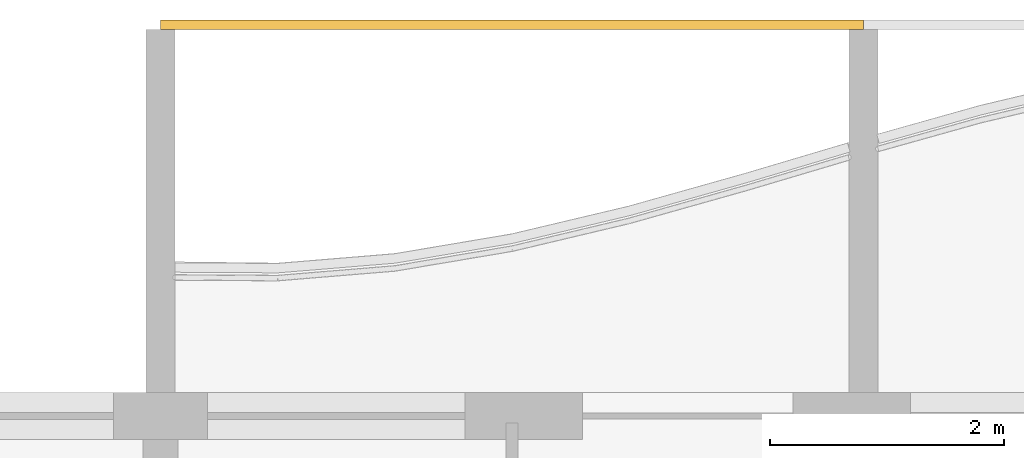
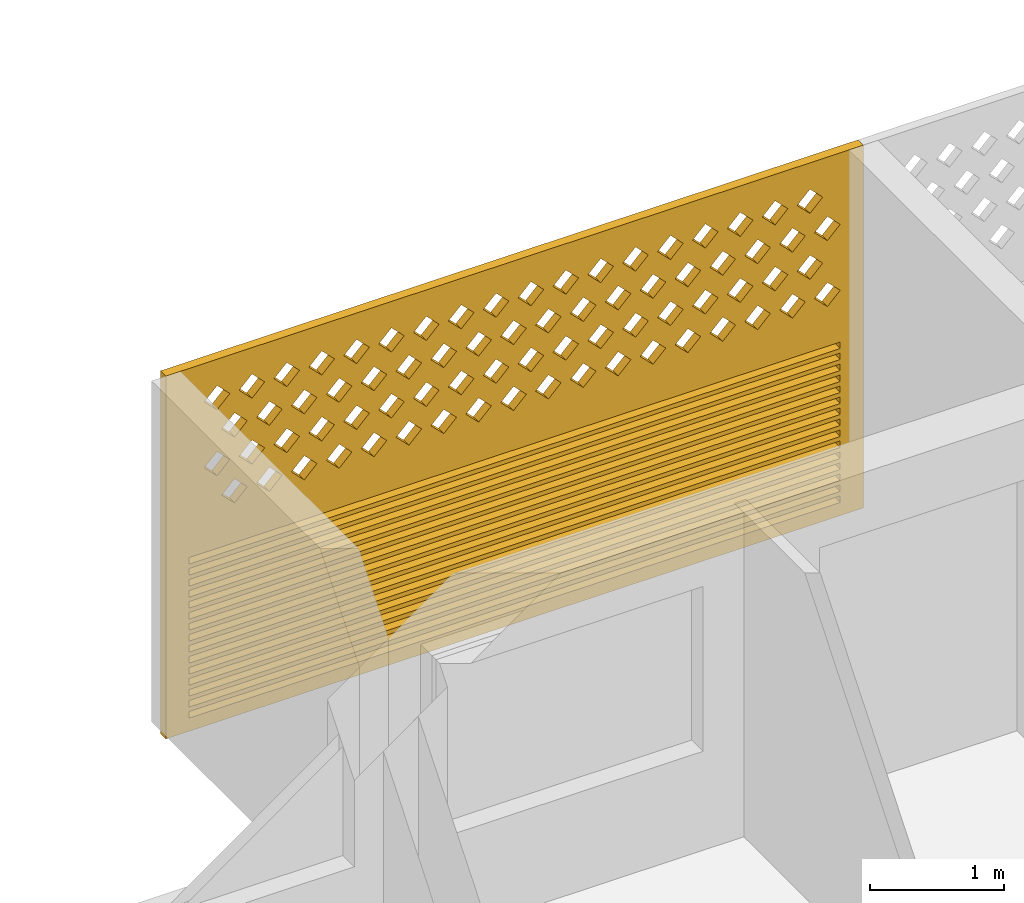
# One storey, part 24 of 26: 1 covering.
"""IFC4 building model written with IfcOpenShell, lengths in metres."""

from ifc_helpers import new_model, si_unit, direction, frame, origin, place, context, subcontext, project, spatial, polyline, outline, extrude, source, transform, mapped, material, material_profile, profile_set, type_object, element, save


model = new_model("IFC4")

# Units and contexts
model_context = context("Model", 3, precision=1e-05, world=origin(), true_north=direction((0.0, 1.0)))
body_context = subcontext(model_context, "Body", "Model", "MODEL_VIEW")
ifc_project = project(units=[si_unit("LENGTHUNIT", "METRE"), si_unit("AREAUNIT", "SQUARE_METRE"), si_unit("VOLUMEUNIT", "CUBIC_METRE"), si_unit("PLANEANGLEUNIT", "RADIAN"), si_unit("MASSUNIT", "GRAM", prefix="KILO")], contexts=[model_context])

# Site, building, storey
site_placement = place(None, origin())
site = spatial("IfcSite", under=ifc_project, at=site_placement, CompositionType="ELEMENT")
building_placement = place(site_placement, origin())
building = spatial("IfcBuilding", under=site, at=building_placement, Name="Poui Terraces", CompositionType="ELEMENT")
storey_placement = place(building_placement, frame((0.0, 0.0, 162.0)))
storey = spatial("IfcBuildingStorey", under=building, at=storey_placement, Name="L45", CompositionType="ELEMENT", Elevation=162.0)

# Covering
ifc_material = material(Name="Terracotta screen", Category="masonry")
ifc_material_profile = material_profile(ifc_material, outline(polyline([(-3.0, -1.64990234375), (3.0, -1.64990234375), (3.0, 1.64990234375), (-3.0, 1.64990234375), (-3.0, -1.64990234375)]), holes=[polyline([(-2.800048828125, 0.39990234375), (-2.68994140625, 0.2900390625), (-2.580078125, 0.39990234375), (-2.68994140625, 0.510009765625), (-2.800048828125, 0.39990234375)]), polyline([(-2.5, 0.39990234375), (-2.389892578125, 0.2900390625), (-2.280029296875, 0.39990234375), (-2.389892578125, 0.510009765625), (-2.5, 0.39990234375)]), polyline([(-2.199951171875, 0.39990234375), (-2.090087890625, 0.2900390625), (-1.97998046875, 0.39990234375), (-2.090087890625, 0.510009765625), (-2.199951171875, 0.39990234375)]), polyline([(-1.89990234375, 0.39990234375), (-1.7900390625, 0.2900390625), (-1.679931640625, 0.39990234375), (-1.7900390625, 0.510009765625), (-1.89990234375, 0.39990234375)]), polyline([(-1.60009765625, 0.39990234375), (-1.489990234375, 0.2900390625), (-1.3798828125, 0.39990234375), (-1.489990234375, 0.510009765625), (-1.60009765625, 0.39990234375)]), polyline([(-1.300048828125, 0.39990234375), (-1.18994140625, 0.2900390625), (-1.080078125, 0.39990234375), (-1.18994140625, 0.510009765625), (-1.300048828125, 0.39990234375)]), polyline([(-1.0, 0.39990234375), (-0.889892578125, 0.2900390625), (-0.780029296875, 0.39990234375), (-0.889892578125, 0.510009765625), (-1.0, 0.39990234375)]), polyline([(-0.699951171875, 0.39990234375), (-0.590087890625, 0.2900390625), (-0.47998046875, 0.39990234375), (-0.590087890625, 0.510009765625), (-0.699951171875, 0.39990234375)]), polyline([(-0.39990234375, 0.39990234375), (-0.2900390625, 0.2900390625), (-0.179931640625, 0.39990234375), (-0.2900390625, 0.510009765625), (-0.39990234375, 0.39990234375)]), polyline([(-0.10009765625, 0.39990234375), (0.010009765625, 0.2900390625), (0.1201171875, 0.39990234375), (0.010009765625, 0.510009765625), (-0.10009765625, 0.39990234375)]), polyline([(0.199951171875, 0.39990234375), (0.31005859375, 0.2900390625), (0.419921875, 0.39990234375), (0.31005859375, 0.510009765625), (0.199951171875, 0.39990234375)]), polyline([(0.5, 0.39990234375), (0.610107421875, 0.2900390625), (0.719970703125, 0.39990234375), (0.610107421875, 0.510009765625), (0.5, 0.39990234375)]), polyline([(0.800048828125, 0.39990234375), (0.909912109375, 0.2900390625), (1.02001953125, 0.39990234375), (0.909912109375, 0.510009765625), (0.800048828125, 0.39990234375)]), polyline([(1.10009765625, 0.39990234375), (1.2099609375, 0.2900390625), (1.320068359375, 0.39990234375), (1.2099609375, 0.510009765625), (1.10009765625, 0.39990234375)]), polyline([(1.39990234375, 0.39990234375), (1.510009765625, 0.2900390625), (1.6201171875, 0.39990234375), (1.510009765625, 0.510009765625), (1.39990234375, 0.39990234375)]), polyline([(1.699951171875, 0.39990234375), (1.81005859375, 0.2900390625), (1.919921875, 0.39990234375), (1.81005859375, 0.510009765625), (1.699951171875, 0.39990234375)]), polyline([(2.0, 0.39990234375), (2.110107421875, 0.2900390625), (2.219970703125, 0.39990234375), (2.110107421875, 0.510009765625), (2.0, 0.39990234375)]), polyline([(2.300048828125, 0.39990234375), (2.409912109375, 0.2900390625), (2.52001953125, 0.39990234375), (2.409912109375, 0.510009765625), (2.300048828125, 0.39990234375)]), polyline([(-2.64990234375, 0.699951171875), (-2.5400390625, 0.590087890625), (-2.429931640625, 0.699951171875), (-2.5400390625, 0.81005859375), (-2.64990234375, 0.699951171875)]), polyline([(-2.35009765625, 0.699951171875), (-2.239990234375, 0.590087890625), (-2.1298828125, 0.699951171875), (-2.239990234375, 0.81005859375), (-2.35009765625, 0.699951171875)]), polyline([(-2.050048828125, 0.699951171875), (-1.93994140625, 0.590087890625), (-1.830078125, 0.699951171875), (-1.93994140625, 0.81005859375), (-2.050048828125, 0.699951171875)]), polyline([(-1.75, 0.699951171875), (-1.639892578125, 0.590087890625), (-1.530029296875, 0.699951171875), (-1.639892578125, 0.81005859375), (-1.75, 0.699951171875)]), polyline([(-1.449951171875, 0.699951171875), (-1.340087890625, 0.590087890625), (-1.22998046875, 0.699951171875), (-1.340087890625, 0.81005859375), (-1.449951171875, 0.699951171875)]), polyline([(-1.14990234375, 0.699951171875), (-1.0400390625, 0.590087890625), (-0.929931640625, 0.699951171875), (-1.0400390625, 0.81005859375), (-1.14990234375, 0.699951171875)]), polyline([(-0.85009765625, 0.699951171875), (-0.739990234375, 0.590087890625), (-0.6298828125, 0.699951171875), (-0.739990234375, 0.81005859375), (-0.85009765625, 0.699951171875)]), polyline([(-0.550048828125, 0.699951171875), (-0.43994140625, 0.590087890625), (-0.330078125, 0.699951171875), (-0.43994140625, 0.81005859375), (-0.550048828125, 0.699951171875)]), polyline([(-0.25, 0.699951171875), (-0.139892578125, 0.590087890625), (-0.030029296875, 0.699951171875), (-0.139892578125, 0.81005859375), (-0.25, 0.699951171875)]), polyline([(0.050048828125, 0.699951171875), (0.159912109375, 0.590087890625), (0.27001953125, 0.699951171875), (0.159912109375, 0.81005859375), (0.050048828125, 0.699951171875)]), polyline([(0.35009765625, 0.699951171875), (0.4599609375, 0.590087890625), (0.570068359375, 0.699951171875), (0.4599609375, 0.81005859375), (0.35009765625, 0.699951171875)]), polyline([(0.64990234375, 0.699951171875), (0.760009765625, 0.590087890625), (0.8701171875, 0.699951171875), (0.760009765625, 0.81005859375), (0.64990234375, 0.699951171875)]), polyline([(0.949951171875, 0.699951171875), (1.06005859375, 0.590087890625), (1.169921875, 0.699951171875), (1.06005859375, 0.81005859375), (0.949951171875, 0.699951171875)]), polyline([(1.25, 0.699951171875), (1.360107421875, 0.590087890625), (1.469970703125, 0.699951171875), (1.360107421875, 0.81005859375), (1.25, 0.699951171875)]), polyline([(1.550048828125, 0.699951171875), (1.659912109375, 0.590087890625), (1.77001953125, 0.699951171875), (1.659912109375, 0.81005859375), (1.550048828125, 0.699951171875)]), polyline([(1.85009765625, 0.699951171875), (1.9599609375, 0.590087890625), (2.070068359375, 0.699951171875), (1.9599609375, 0.81005859375), (1.85009765625, 0.699951171875)]), polyline([(2.14990234375, 0.699951171875), (2.260009765625, 0.590087890625), (2.3701171875, 0.699951171875), (2.260009765625, 0.81005859375), (2.14990234375, 0.699951171875)]), polyline([(2.449951171875, 0.699951171875), (2.56005859375, 0.590087890625), (2.669921875, 0.699951171875), (2.56005859375, 0.81005859375), (2.449951171875, 0.699951171875)]), polyline([(-2.800048828125, 1.0), (-2.68994140625, 0.889892578125), (-2.580078125, 1.0), (-2.68994140625, 1.110107421875), (-2.800048828125, 1.0)]), polyline([(-2.5, 1.0), (-2.389892578125, 0.889892578125), (-2.280029296875, 1.0), (-2.389892578125, 1.110107421875), (-2.5, 1.0)]), polyline([(-2.199951171875, 1.0), (-2.090087890625, 0.889892578125), (-1.97998046875, 1.0), (-2.090087890625, 1.110107421875), (-2.199951171875, 1.0)]), polyline([(-1.89990234375, 1.0), (-1.7900390625, 0.889892578125), (-1.679931640625, 1.0), (-1.7900390625, 1.110107421875), (-1.89990234375, 1.0)]), polyline([(-1.60009765625, 1.0), (-1.489990234375, 0.889892578125), (-1.3798828125, 1.0), (-1.489990234375, 1.110107421875), (-1.60009765625, 1.0)]), polyline([(-1.300048828125, 1.0), (-1.18994140625, 0.889892578125), (-1.080078125, 1.0), (-1.18994140625, 1.110107421875), (-1.300048828125, 1.0)]), polyline([(-1.0, 1.0), (-0.889892578125, 0.889892578125), (-0.780029296875, 1.0), (-0.889892578125, 1.110107421875), (-1.0, 1.0)]), polyline([(-0.699951171875, 1.0), (-0.590087890625, 0.889892578125), (-0.47998046875, 1.0), (-0.590087890625, 1.110107421875), (-0.699951171875, 1.0)]), polyline([(-0.39990234375, 1.0), (-0.2900390625, 0.889892578125), (-0.179931640625, 1.0), (-0.2900390625, 1.110107421875), (-0.39990234375, 1.0)]), polyline([(-0.10009765625, 1.0), (0.010009765625, 0.889892578125), (0.1201171875, 1.0), (0.010009765625, 1.110107421875), (-0.10009765625, 1.0)]), polyline([(0.199951171875, 1.0), (0.31005859375, 0.889892578125), (0.419921875, 1.0), (0.31005859375, 1.110107421875), (0.199951171875, 1.0)]), polyline([(0.5, 1.0), (0.610107421875, 0.889892578125), (0.719970703125, 1.0), (0.610107421875, 1.110107421875), (0.5, 1.0)]), polyline([(0.800048828125, 1.0), (0.909912109375, 0.889892578125), (1.02001953125, 1.0), (0.909912109375, 1.110107421875), (0.800048828125, 1.0)]), polyline([(1.10009765625, 1.0), (1.2099609375, 0.889892578125), (1.320068359375, 1.0), (1.2099609375, 1.110107421875), (1.10009765625, 1.0)]), polyline([(1.39990234375, 1.0), (1.510009765625, 0.889892578125), (1.6201171875, 1.0), (1.510009765625, 1.110107421875), (1.39990234375, 1.0)]), polyline([(1.699951171875, 1.0), (1.81005859375, 0.889892578125), (1.919921875, 1.0), (1.81005859375, 1.110107421875), (1.699951171875, 1.0)]), polyline([(2.0, 1.0), (2.110107421875, 0.889892578125), (2.219970703125, 1.0), (2.110107421875, 1.110107421875), (2.0, 1.0)]), polyline([(2.300048828125, 1.0), (2.409912109375, 0.889892578125), (2.52001953125, 1.0), (2.409912109375, 1.110107421875), (2.300048828125, 1.0)]), polyline([(-2.64990234375, 1.300048828125), (-2.5400390625, 1.18994140625), (-2.429931640625, 1.300048828125), (-2.5400390625, 1.409912109375), (-2.64990234375, 1.300048828125)]), polyline([(-2.35009765625, 1.300048828125), (-2.239990234375, 1.18994140625), (-2.1298828125, 1.300048828125), (-2.239990234375, 1.409912109375), (-2.35009765625, 1.300048828125)]), polyline([(-2.050048828125, 1.300048828125), (-1.93994140625, 1.18994140625), (-1.830078125, 1.300048828125), (-1.93994140625, 1.409912109375), (-2.050048828125, 1.300048828125)]), polyline([(-1.75, 1.300048828125), (-1.639892578125, 1.18994140625), (-1.530029296875, 1.300048828125), (-1.639892578125, 1.409912109375), (-1.75, 1.300048828125)]), polyline([(-1.449951171875, 1.300048828125), (-1.340087890625, 1.18994140625), (-1.22998046875, 1.300048828125), (-1.340087890625, 1.409912109375), (-1.449951171875, 1.300048828125)]), polyline([(-1.14990234375, 1.300048828125), (-1.0400390625, 1.18994140625), (-0.929931640625, 1.300048828125), (-1.0400390625, 1.409912109375), (-1.14990234375, 1.300048828125)]), polyline([(-0.85009765625, 1.300048828125), (-0.739990234375, 1.18994140625), (-0.6298828125, 1.300048828125), (-0.739990234375, 1.409912109375), (-0.85009765625, 1.300048828125)]), polyline([(-0.550048828125, 1.300048828125), (-0.43994140625, 1.18994140625), (-0.330078125, 1.300048828125), (-0.43994140625, 1.409912109375), (-0.550048828125, 1.300048828125)]), polyline([(-0.25, 1.300048828125), (-0.139892578125, 1.18994140625), (-0.030029296875, 1.300048828125), (-0.139892578125, 1.409912109375), (-0.25, 1.300048828125)]), polyline([(0.050048828125, 1.300048828125), (0.159912109375, 1.18994140625), (0.27001953125, 1.300048828125), (0.159912109375, 1.409912109375), (0.050048828125, 1.300048828125)]), polyline([(0.35009765625, 1.300048828125), (0.4599609375, 1.18994140625), (0.570068359375, 1.300048828125), (0.4599609375, 1.409912109375), (0.35009765625, 1.300048828125)]), polyline([(0.64990234375, 1.300048828125), (0.760009765625, 1.18994140625), (0.8701171875, 1.300048828125), (0.760009765625, 1.409912109375), (0.64990234375, 1.300048828125)]), polyline([(0.949951171875, 1.300048828125), (1.06005859375, 1.18994140625), (1.169921875, 1.300048828125), (1.06005859375, 1.409912109375), (0.949951171875, 1.300048828125)]), polyline([(1.25, 1.300048828125), (1.360107421875, 1.18994140625), (1.469970703125, 1.300048828125), (1.360107421875, 1.409912109375), (1.25, 1.300048828125)]), polyline([(1.550048828125, 1.300048828125), (1.659912109375, 1.18994140625), (1.77001953125, 1.300048828125), (1.659912109375, 1.409912109375), (1.550048828125, 1.300048828125)]), polyline([(1.85009765625, 1.300048828125), (1.9599609375, 1.18994140625), (2.070068359375, 1.300048828125), (1.9599609375, 1.409912109375), (1.85009765625, 1.300048828125)]), polyline([(2.14990234375, 1.300048828125), (2.260009765625, 1.18994140625), (2.3701171875, 1.300048828125), (2.260009765625, 1.409912109375), (2.14990234375, 1.300048828125)]), polyline([(2.449951171875, 1.300048828125), (2.56005859375, 1.18994140625), (2.669921875, 1.300048828125), (2.56005859375, 1.409912109375), (2.449951171875, 1.300048828125)]), polyline([(-2.800048828125, -1.530029296875), (2.800048828125, -1.530029296875), (2.800048828125, -1.469970703125), (-2.800048828125, -1.469970703125), (-2.800048828125, -1.530029296875)]), polyline([(-2.800048828125, -1.429931640625), (2.800048828125, -1.429931640625), (2.800048828125, -1.3701171875), (-2.800048828125, -1.3701171875), (-2.800048828125, -1.429931640625)]), polyline([(-2.800048828125, -1.330078125), (2.800048828125, -1.330078125), (2.800048828125, -1.27001953125), (-2.800048828125, -1.27001953125), (-2.800048828125, -1.330078125)]), polyline([(-2.800048828125, -1.22998046875), (2.800048828125, -1.22998046875), (2.800048828125, -1.169921875), (-2.800048828125, -1.169921875), (-2.800048828125, -1.22998046875)]), polyline([(-2.800048828125, -1.1298828125), (2.800048828125, -1.1298828125), (2.800048828125, -1.070068359375), (-2.800048828125, -1.070068359375), (-2.800048828125, -1.1298828125)]), polyline([(-2.800048828125, -1.030029296875), (2.800048828125, -1.030029296875), (2.800048828125, -0.969970703125), (-2.800048828125, -0.969970703125), (-2.800048828125, -1.030029296875)]), polyline([(-2.800048828125, -0.929931640625), (2.800048828125, -0.929931640625), (2.800048828125, -0.8701171875), (-2.800048828125, -0.8701171875), (-2.800048828125, -0.929931640625)]), polyline([(-2.800048828125, -0.830078125), (2.800048828125, -0.830078125), (2.800048828125, -0.77001953125), (-2.800048828125, -0.77001953125), (-2.800048828125, -0.830078125)]), polyline([(-2.800048828125, -0.72998046875), (2.800048828125, -0.72998046875), (2.800048828125, -0.669921875), (-2.800048828125, -0.669921875), (-2.800048828125, -0.72998046875)]), polyline([(-2.800048828125, -0.6298828125), (2.800048828125, -0.6298828125), (2.800048828125, -0.570068359375), (-2.800048828125, -0.570068359375), (-2.800048828125, -0.6298828125)]), polyline([(-2.800048828125, -0.530029296875), (2.800048828125, -0.530029296875), (2.800048828125, -0.469970703125), (-2.800048828125, -0.469970703125), (-2.800048828125, -0.530029296875)]), polyline([(-2.800048828125, -0.429931640625), (2.800048828125, -0.429931640625), (2.800048828125, -0.3701171875), (-2.800048828125, -0.3701171875), (-2.800048828125, -0.429931640625)]), polyline([(-2.800048828125, -0.330078125), (2.800048828125, -0.330078125), (2.800048828125, -0.27001953125), (-2.800048828125, -0.27001953125), (-2.800048828125, -0.330078125)]), polyline([(-2.800048828125, -0.22998046875), (2.800048828125, -0.22998046875), (2.800048828125, -0.169921875), (-2.800048828125, -0.169921875), (-2.800048828125, -0.22998046875)]), polyline([(-2.800048828125, -0.1298828125), (2.800048828125, -0.1298828125), (2.800048828125, -0.070068359375), (-2.800048828125, -0.070068359375), (-2.800048828125, -0.1298828125)])]), Name="TERRACOTTA SCREEN AND JALOUSIE LOUVRE 6000X3300")
ifc_profile_set = profile_set([ifc_material_profile], Name="Terracotta screen")
covering_type = type_object("IfcCoveringType", Name="TERRACOTTA SCREEN AND JALOUSIE LOUVRE 6000X3300", PredefinedType="CLADDING", material=ifc_profile_set)
shared_shape = source(origin(), body_context, "Body", "SweptSolid", [
    extrude(outline(polyline([(-3.0, -1.64990234375), (3.0, -1.64990234375), (3.0, 1.64990234375), (-3.0, 1.64990234375), (-3.0, -1.64990234375)]), holes=[polyline([(-2.800048828125, 0.39990234375), (-2.68994140625, 0.2900390625), (-2.580078125, 0.39990234375), (-2.68994140625, 0.510009765625), (-2.800048828125, 0.39990234375)]), polyline([(-2.5, 0.39990234375), (-2.389892578125, 0.2900390625), (-2.280029296875, 0.39990234375), (-2.389892578125, 0.510009765625), (-2.5, 0.39990234375)]), polyline([(-2.199951171875, 0.39990234375), (-2.090087890625, 0.2900390625), (-1.97998046875, 0.39990234375), (-2.090087890625, 0.510009765625), (-2.199951171875, 0.39990234375)]), polyline([(-1.89990234375, 0.39990234375), (-1.7900390625, 0.2900390625), (-1.679931640625, 0.39990234375), (-1.7900390625, 0.510009765625), (-1.89990234375, 0.39990234375)]), polyline([(-1.60009765625, 0.39990234375), (-1.489990234375, 0.2900390625), (-1.3798828125, 0.39990234375), (-1.489990234375, 0.510009765625), (-1.60009765625, 0.39990234375)]), polyline([(-1.300048828125, 0.39990234375), (-1.18994140625, 0.2900390625), (-1.080078125, 0.39990234375), (-1.18994140625, 0.510009765625), (-1.300048828125, 0.39990234375)]), polyline([(-1.0, 0.39990234375), (-0.889892578125, 0.2900390625), (-0.780029296875, 0.39990234375), (-0.889892578125, 0.510009765625), (-1.0, 0.39990234375)]), polyline([(-0.699951171875, 0.39990234375), (-0.590087890625, 0.2900390625), (-0.47998046875, 0.39990234375), (-0.590087890625, 0.510009765625), (-0.699951171875, 0.39990234375)]), polyline([(-0.39990234375, 0.39990234375), (-0.2900390625, 0.2900390625), (-0.179931640625, 0.39990234375), (-0.2900390625, 0.510009765625), (-0.39990234375, 0.39990234375)]), polyline([(-0.10009765625, 0.39990234375), (0.010009765625, 0.2900390625), (0.1201171875, 0.39990234375), (0.010009765625, 0.510009765625), (-0.10009765625, 0.39990234375)]), polyline([(0.199951171875, 0.39990234375), (0.31005859375, 0.2900390625), (0.419921875, 0.39990234375), (0.31005859375, 0.510009765625), (0.199951171875, 0.39990234375)]), polyline([(0.5, 0.39990234375), (0.610107421875, 0.2900390625), (0.719970703125, 0.39990234375), (0.610107421875, 0.510009765625), (0.5, 0.39990234375)]), polyline([(0.800048828125, 0.39990234375), (0.909912109375, 0.2900390625), (1.02001953125, 0.39990234375), (0.909912109375, 0.510009765625), (0.800048828125, 0.39990234375)]), polyline([(1.10009765625, 0.39990234375), (1.2099609375, 0.2900390625), (1.320068359375, 0.39990234375), (1.2099609375, 0.510009765625), (1.10009765625, 0.39990234375)]), polyline([(1.39990234375, 0.39990234375), (1.510009765625, 0.2900390625), (1.6201171875, 0.39990234375), (1.510009765625, 0.510009765625), (1.39990234375, 0.39990234375)]), polyline([(1.699951171875, 0.39990234375), (1.81005859375, 0.2900390625), (1.919921875, 0.39990234375), (1.81005859375, 0.510009765625), (1.699951171875, 0.39990234375)]), polyline([(2.0, 0.39990234375), (2.110107421875, 0.2900390625), (2.219970703125, 0.39990234375), (2.110107421875, 0.510009765625), (2.0, 0.39990234375)]), polyline([(2.300048828125, 0.39990234375), (2.409912109375, 0.2900390625), (2.52001953125, 0.39990234375), (2.409912109375, 0.510009765625), (2.300048828125, 0.39990234375)]), polyline([(-2.64990234375, 0.699951171875), (-2.5400390625, 0.590087890625), (-2.429931640625, 0.699951171875), (-2.5400390625, 0.81005859375), (-2.64990234375, 0.699951171875)]), polyline([(-2.35009765625, 0.699951171875), (-2.239990234375, 0.590087890625), (-2.1298828125, 0.699951171875), (-2.239990234375, 0.81005859375), (-2.35009765625, 0.699951171875)]), polyline([(-2.050048828125, 0.699951171875), (-1.93994140625, 0.590087890625), (-1.830078125, 0.699951171875), (-1.93994140625, 0.81005859375), (-2.050048828125, 0.699951171875)]), polyline([(-1.75, 0.699951171875), (-1.639892578125, 0.590087890625), (-1.530029296875, 0.699951171875), (-1.639892578125, 0.81005859375), (-1.75, 0.699951171875)]), polyline([(-1.449951171875, 0.699951171875), (-1.340087890625, 0.590087890625), (-1.22998046875, 0.699951171875), (-1.340087890625, 0.81005859375), (-1.449951171875, 0.699951171875)]), polyline([(-1.14990234375, 0.699951171875), (-1.0400390625, 0.590087890625), (-0.929931640625, 0.699951171875), (-1.0400390625, 0.81005859375), (-1.14990234375, 0.699951171875)]), polyline([(-0.85009765625, 0.699951171875), (-0.739990234375, 0.590087890625), (-0.6298828125, 0.699951171875), (-0.739990234375, 0.81005859375), (-0.85009765625, 0.699951171875)]), polyline([(-0.550048828125, 0.699951171875), (-0.43994140625, 0.590087890625), (-0.330078125, 0.699951171875), (-0.43994140625, 0.81005859375), (-0.550048828125, 0.699951171875)]), polyline([(-0.25, 0.699951171875), (-0.139892578125, 0.590087890625), (-0.030029296875, 0.699951171875), (-0.139892578125, 0.81005859375), (-0.25, 0.699951171875)]), polyline([(0.050048828125, 0.699951171875), (0.159912109375, 0.590087890625), (0.27001953125, 0.699951171875), (0.159912109375, 0.81005859375), (0.050048828125, 0.699951171875)]), polyline([(0.35009765625, 0.699951171875), (0.4599609375, 0.590087890625), (0.570068359375, 0.699951171875), (0.4599609375, 0.81005859375), (0.35009765625, 0.699951171875)]), polyline([(0.64990234375, 0.699951171875), (0.760009765625, 0.590087890625), (0.8701171875, 0.699951171875), (0.760009765625, 0.81005859375), (0.64990234375, 0.699951171875)]), polyline([(0.949951171875, 0.699951171875), (1.06005859375, 0.590087890625), (1.169921875, 0.699951171875), (1.06005859375, 0.81005859375), (0.949951171875, 0.699951171875)]), polyline([(1.25, 0.699951171875), (1.360107421875, 0.590087890625), (1.469970703125, 0.699951171875), (1.360107421875, 0.81005859375), (1.25, 0.699951171875)]), polyline([(1.550048828125, 0.699951171875), (1.659912109375, 0.590087890625), (1.77001953125, 0.699951171875), (1.659912109375, 0.81005859375), (1.550048828125, 0.699951171875)]), polyline([(1.85009765625, 0.699951171875), (1.9599609375, 0.590087890625), (2.070068359375, 0.699951171875), (1.9599609375, 0.81005859375), (1.85009765625, 0.699951171875)]), polyline([(2.14990234375, 0.699951171875), (2.260009765625, 0.590087890625), (2.3701171875, 0.699951171875), (2.260009765625, 0.81005859375), (2.14990234375, 0.699951171875)]), polyline([(2.449951171875, 0.699951171875), (2.56005859375, 0.590087890625), (2.669921875, 0.699951171875), (2.56005859375, 0.81005859375), (2.449951171875, 0.699951171875)]), polyline([(-2.800048828125, 1.0), (-2.68994140625, 0.889892578125), (-2.580078125, 1.0), (-2.68994140625, 1.110107421875), (-2.800048828125, 1.0)]), polyline([(-2.5, 1.0), (-2.389892578125, 0.889892578125), (-2.280029296875, 1.0), (-2.389892578125, 1.110107421875), (-2.5, 1.0)]), polyline([(-2.199951171875, 1.0), (-2.090087890625, 0.889892578125), (-1.97998046875, 1.0), (-2.090087890625, 1.110107421875), (-2.199951171875, 1.0)]), polyline([(-1.89990234375, 1.0), (-1.7900390625, 0.889892578125), (-1.679931640625, 1.0), (-1.7900390625, 1.110107421875), (-1.89990234375, 1.0)]), polyline([(-1.60009765625, 1.0), (-1.489990234375, 0.889892578125), (-1.3798828125, 1.0), (-1.489990234375, 1.110107421875), (-1.60009765625, 1.0)]), polyline([(-1.300048828125, 1.0), (-1.18994140625, 0.889892578125), (-1.080078125, 1.0), (-1.18994140625, 1.110107421875), (-1.300048828125, 1.0)]), polyline([(-1.0, 1.0), (-0.889892578125, 0.889892578125), (-0.780029296875, 1.0), (-0.889892578125, 1.110107421875), (-1.0, 1.0)]), polyline([(-0.699951171875, 1.0), (-0.590087890625, 0.889892578125), (-0.47998046875, 1.0), (-0.590087890625, 1.110107421875), (-0.699951171875, 1.0)]), polyline([(-0.39990234375, 1.0), (-0.2900390625, 0.889892578125), (-0.179931640625, 1.0), (-0.2900390625, 1.110107421875), (-0.39990234375, 1.0)]), polyline([(-0.10009765625, 1.0), (0.010009765625, 0.889892578125), (0.1201171875, 1.0), (0.010009765625, 1.110107421875), (-0.10009765625, 1.0)]), polyline([(0.199951171875, 1.0), (0.31005859375, 0.889892578125), (0.419921875, 1.0), (0.31005859375, 1.110107421875), (0.199951171875, 1.0)]), polyline([(0.5, 1.0), (0.610107421875, 0.889892578125), (0.719970703125, 1.0), (0.610107421875, 1.110107421875), (0.5, 1.0)]), polyline([(0.800048828125, 1.0), (0.909912109375, 0.889892578125), (1.02001953125, 1.0), (0.909912109375, 1.110107421875), (0.800048828125, 1.0)]), polyline([(1.10009765625, 1.0), (1.2099609375, 0.889892578125), (1.320068359375, 1.0), (1.2099609375, 1.110107421875), (1.10009765625, 1.0)]), polyline([(1.39990234375, 1.0), (1.510009765625, 0.889892578125), (1.6201171875, 1.0), (1.510009765625, 1.110107421875), (1.39990234375, 1.0)]), polyline([(1.699951171875, 1.0), (1.81005859375, 0.889892578125), (1.919921875, 1.0), (1.81005859375, 1.110107421875), (1.699951171875, 1.0)]), polyline([(2.0, 1.0), (2.110107421875, 0.889892578125), (2.219970703125, 1.0), (2.110107421875, 1.110107421875), (2.0, 1.0)]), polyline([(2.300048828125, 1.0), (2.409912109375, 0.889892578125), (2.52001953125, 1.0), (2.409912109375, 1.110107421875), (2.300048828125, 1.0)]), polyline([(-2.64990234375, 1.300048828125), (-2.5400390625, 1.18994140625), (-2.429931640625, 1.300048828125), (-2.5400390625, 1.409912109375), (-2.64990234375, 1.300048828125)]), polyline([(-2.35009765625, 1.300048828125), (-2.239990234375, 1.18994140625), (-2.1298828125, 1.300048828125), (-2.239990234375, 1.409912109375), (-2.35009765625, 1.300048828125)]), polyline([(-2.050048828125, 1.300048828125), (-1.93994140625, 1.18994140625), (-1.830078125, 1.300048828125), (-1.93994140625, 1.409912109375), (-2.050048828125, 1.300048828125)]), polyline([(-1.75, 1.300048828125), (-1.639892578125, 1.18994140625), (-1.530029296875, 1.300048828125), (-1.639892578125, 1.409912109375), (-1.75, 1.300048828125)]), polyline([(-1.449951171875, 1.300048828125), (-1.340087890625, 1.18994140625), (-1.22998046875, 1.300048828125), (-1.340087890625, 1.409912109375), (-1.449951171875, 1.300048828125)]), polyline([(-1.14990234375, 1.300048828125), (-1.0400390625, 1.18994140625), (-0.929931640625, 1.300048828125), (-1.0400390625, 1.409912109375), (-1.14990234375, 1.300048828125)]), polyline([(-0.85009765625, 1.300048828125), (-0.739990234375, 1.18994140625), (-0.6298828125, 1.300048828125), (-0.739990234375, 1.409912109375), (-0.85009765625, 1.300048828125)]), polyline([(-0.550048828125, 1.300048828125), (-0.43994140625, 1.18994140625), (-0.330078125, 1.300048828125), (-0.43994140625, 1.409912109375), (-0.550048828125, 1.300048828125)]), polyline([(-0.25, 1.300048828125), (-0.139892578125, 1.18994140625), (-0.030029296875, 1.300048828125), (-0.139892578125, 1.409912109375), (-0.25, 1.300048828125)]), polyline([(0.050048828125, 1.300048828125), (0.159912109375, 1.18994140625), (0.27001953125, 1.300048828125), (0.159912109375, 1.409912109375), (0.050048828125, 1.300048828125)]), polyline([(0.35009765625, 1.300048828125), (0.4599609375, 1.18994140625), (0.570068359375, 1.300048828125), (0.4599609375, 1.409912109375), (0.35009765625, 1.300048828125)]), polyline([(0.64990234375, 1.300048828125), (0.760009765625, 1.18994140625), (0.8701171875, 1.300048828125), (0.760009765625, 1.409912109375), (0.64990234375, 1.300048828125)]), polyline([(0.949951171875, 1.300048828125), (1.06005859375, 1.18994140625), (1.169921875, 1.300048828125), (1.06005859375, 1.409912109375), (0.949951171875, 1.300048828125)]), polyline([(1.25, 1.300048828125), (1.360107421875, 1.18994140625), (1.469970703125, 1.300048828125), (1.360107421875, 1.409912109375), (1.25, 1.300048828125)]), polyline([(1.550048828125, 1.300048828125), (1.659912109375, 1.18994140625), (1.77001953125, 1.300048828125), (1.659912109375, 1.409912109375), (1.550048828125, 1.300048828125)]), polyline([(1.85009765625, 1.300048828125), (1.9599609375, 1.18994140625), (2.070068359375, 1.300048828125), (1.9599609375, 1.409912109375), (1.85009765625, 1.300048828125)]), polyline([(2.14990234375, 1.300048828125), (2.260009765625, 1.18994140625), (2.3701171875, 1.300048828125), (2.260009765625, 1.409912109375), (2.14990234375, 1.300048828125)]), polyline([(2.449951171875, 1.300048828125), (2.56005859375, 1.18994140625), (2.669921875, 1.300048828125), (2.56005859375, 1.409912109375), (2.449951171875, 1.300048828125)]), polyline([(-2.800048828125, -1.530029296875), (2.800048828125, -1.530029296875), (2.800048828125, -1.469970703125), (-2.800048828125, -1.469970703125), (-2.800048828125, -1.530029296875)]), polyline([(-2.800048828125, -1.429931640625), (2.800048828125, -1.429931640625), (2.800048828125, -1.3701171875), (-2.800048828125, -1.3701171875), (-2.800048828125, -1.429931640625)]), polyline([(-2.800048828125, -1.330078125), (2.800048828125, -1.330078125), (2.800048828125, -1.27001953125), (-2.800048828125, -1.27001953125), (-2.800048828125, -1.330078125)]), polyline([(-2.800048828125, -1.22998046875), (2.800048828125, -1.22998046875), (2.800048828125, -1.169921875), (-2.800048828125, -1.169921875), (-2.800048828125, -1.22998046875)]), polyline([(-2.800048828125, -1.1298828125), (2.800048828125, -1.1298828125), (2.800048828125, -1.070068359375), (-2.800048828125, -1.070068359375), (-2.800048828125, -1.1298828125)]), polyline([(-2.800048828125, -1.030029296875), (2.800048828125, -1.030029296875), (2.800048828125, -0.969970703125), (-2.800048828125, -0.969970703125), (-2.800048828125, -1.030029296875)]), polyline([(-2.800048828125, -0.929931640625), (2.800048828125, -0.929931640625), (2.800048828125, -0.8701171875), (-2.800048828125, -0.8701171875), (-2.800048828125, -0.929931640625)]), polyline([(-2.800048828125, -0.830078125), (2.800048828125, -0.830078125), (2.800048828125, -0.77001953125), (-2.800048828125, -0.77001953125), (-2.800048828125, -0.830078125)]), polyline([(-2.800048828125, -0.72998046875), (2.800048828125, -0.72998046875), (2.800048828125, -0.669921875), (-2.800048828125, -0.669921875), (-2.800048828125, -0.72998046875)]), polyline([(-2.800048828125, -0.6298828125), (2.800048828125, -0.6298828125), (2.800048828125, -0.570068359375), (-2.800048828125, -0.570068359375), (-2.800048828125, -0.6298828125)]), polyline([(-2.800048828125, -0.530029296875), (2.800048828125, -0.530029296875), (2.800048828125, -0.469970703125), (-2.800048828125, -0.469970703125), (-2.800048828125, -0.530029296875)]), polyline([(-2.800048828125, -0.429931640625), (2.800048828125, -0.429931640625), (2.800048828125, -0.3701171875), (-2.800048828125, -0.3701171875), (-2.800048828125, -0.429931640625)]), polyline([(-2.800048828125, -0.330078125), (2.800048828125, -0.330078125), (2.800048828125, -0.27001953125), (-2.800048828125, -0.27001953125), (-2.800048828125, -0.330078125)]), polyline([(-2.800048828125, -0.22998046875), (2.800048828125, -0.22998046875), (2.800048828125, -0.169921875), (-2.800048828125, -0.169921875), (-2.800048828125, -0.22998046875)]), polyline([(-2.800048828125, -0.1298828125), (2.800048828125, -0.1298828125), (2.800048828125, -0.070068359375), (-2.800048828125, -0.070068359375), (-2.800048828125, -0.1298828125)])]), origin(), (0.0, 0.0, 1.0), 0.080078125),
])
covering_placement = place(storey_placement, frame((69.0, 45.699951171875, 1.449951171875), z_axis=(0.0, 1.0, 0.0), x_axis=(-1.0, 0.0, 0.0)))
element("IfcCovering", 1, at=covering_placement, inside=storey, type_object=covering_type, Name="SOLAR SCREEN AND JALOUSIE LOUVRE", PredefinedType="CLADDING", context=body_context, shape_type="MappedRepresentation", body=[
    mapped(shared_shape, transform((0.0, 0.0, 0.0))),
])

save(model, "model.ifc")
